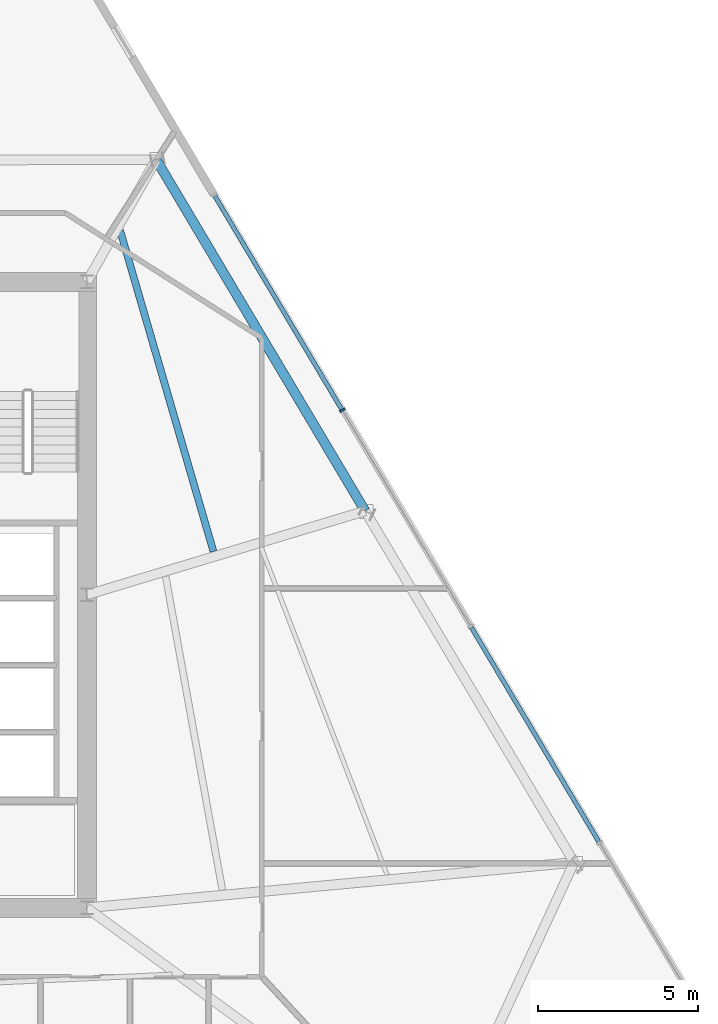
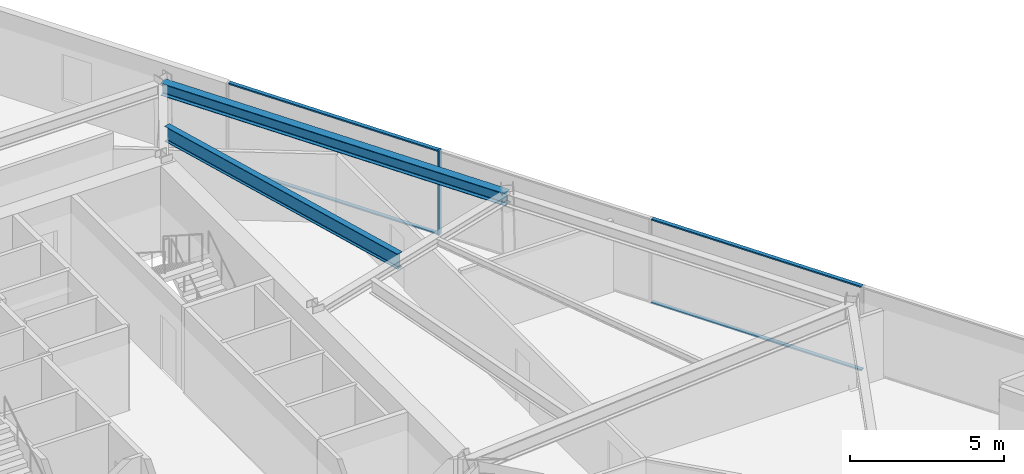
# One storey, part 5 of 15: 5 members, 2 beams, 1 element without a shape of its own.
"""IFC4 building model written with IfcOpenShell, lengths in metres."""

from ifc_helpers import new_model, si_unit, direction, frame, origin, origin_2d, place, context, subcontext, project, spatial, rectangle, i_section, extrude, material, material_profile, profile_set, type_object, element, aggregate, save


model = new_model("IFC4")

# Units and contexts
model_context = context("Model", 3, precision=1e-05, world=origin(), true_north=direction((0.0, 1.0)))
body_context = subcontext(model_context, "Body", "Model", "MODEL_VIEW")
ifc_project = project(units=[si_unit("LENGTHUNIT", "METRE"), si_unit("AREAUNIT", "SQUARE_METRE"), si_unit("VOLUMEUNIT", "CUBIC_METRE"), si_unit("PLANEANGLEUNIT", "RADIAN"), si_unit("MASSUNIT", "GRAM", prefix="KILO")], contexts=[model_context])

# Site, building, storey
site_placement = place(None, origin())
site = spatial("IfcSite", under=ifc_project, at=site_placement, CompositionType="ELEMENT")
building_placement = place(site_placement, origin())
building = spatial("IfcBuilding", under=site, at=building_placement, Name="Savorim Split Tower", CompositionType="ELEMENT")
storey_placement = place(building_placement, frame((0.0, 0.0, 111.300048828125)))
storey = spatial("IfcBuildingStorey", under=building, at=storey_placement, Name="L29", CompositionType="ELEMENT", Elevation=111.300048828125)

# Beams
ifc_material_1 = material(Name="Steel S355", Category="steel")
ifc_material_profile_1 = material_profile(ifc_material_1, i_section(OverallWidth=0.219970703125, OverallDepth=0.60009765625, WebThickness=0.011962890625, FlangeThickness=0.01904296875, FilletRadius=0.02392578125, at=origin_2d()), Name="IPE 600")
ifc_profile_set_1 = profile_set([ifc_material_profile_1], Name="Steel S355")
beam_type_1 = type_object("IfcBeamType", Name="BM-JST-IPE600", PredefinedType="JOIST", material=ifc_profile_set_1)
beam_1_placement = place(storey_placement, frame((11.66357421875, 1.76220703125, 3.050048828125), z_axis=(-0.279116342028, 0.960257292403, 0.0), x_axis=(-0.960257292403, -0.279116342028, 0.0)))
element("IfcBeam", 1, at=beam_1_placement, inside=storey, type_object=beam_type_1, Name="L29 Secondary Floor Joist JS-07", PredefinedType="JOIST", context=body_context, shape_type="SweptSolid", body=[
    extrude(i_section(OverallWidth=0.219970703125, OverallDepth=0.60009765625, WebThickness=0.011962890625, FlangeThickness=0.01904296875, FilletRadius=0.02392578125, at=origin_2d()), origin(), (0.0, 0.0, 1.0), 10.462158203125),
])
ifc_material_profile_2 = material_profile(ifc_material_1, i_section(OverallWidth=0.300048828125, OverallDepth=0.489990234375, WebThickness=0.011962890625, FlangeThickness=0.02294921875, FilletRadius=0.027099609375, at=origin_2d()), Name="HEA 500")
ifc_profile_set_2 = profile_set([ifc_material_profile_2], Name="Steel S355")
beam_type_2 = type_object("IfcBeamType", Name="BM-SPN-HEA500", PredefinedType="SPANDREL", material=ifc_profile_set_2)
beam_2_placement = place(storey_placement, frame((16.413818359375, 3.027099609375, 3.10498046875), z_axis=(-0.511098240642, 0.859522302452, 0.0), x_axis=(-0.859522302452, -0.511098240642, 0.0)))
element("IfcBeam", 2, at=beam_2_placement, inside=storey, type_object=beam_type_2, Name="L29 Perimeter Spandrel Beam 6", PredefinedType="SPANDREL", context=body_context, shape_type="SweptSolid", body=[
    extrude(i_section(OverallWidth=0.300048828125, OverallDepth=0.489990234375, WebThickness=0.011962890625, FlangeThickness=0.02294921875, FilletRadius=0.027099609375, at=origin_2d()), origin(), (0.0, 0.0, 1.0), 12.8017578125),
])

# Curtain wall, members
ifc_material_2 = material(Name="Dark Ceramic-Fritted Insulated Glass", Category="glass")
curtain_wall_type = type_object("IfcCurtainWallType", Name="CW-TWR-FRIT-A", PredefinedType="NOTDEFINED", material=ifc_material_2)
curtain_wall_placement = place(storey_placement, origin())
curtain_wall = element("IfcCurtainWall", 3, at=curtain_wall_placement, inside=storey, type_object=curtain_wall_type, Name="L29 Curtain Wall CW-L29-EAST", PredefinedType="NOTDEFINED")
ifc_material_3 = material(Name="Charcoal Anodised Aluminium", Category="aluminium")
ifc_material_profile_3 = material_profile(ifc_material_3, rectangle(XDim=0.179931640625, YDim=0.06494140625, at=origin_2d()), Name="ALU-M 180x65")
ifc_profile_set_3 = profile_set([ifc_material_profile_3], Name="Charcoal Anodised Aluminium")
member_type_1 = type_object("IfcMemberType", Name="CWM-180x65", PredefinedType="MULLION", material=ifc_profile_set_3)
member_1_placement = place(storey_placement, frame((15.6982421875, 6.1806640625, 0.0), z_axis=(0.0, 0.0, 1.0), x_axis=(-0.859525409745, -0.51109301502, 0.0)))
member_1 = element("IfcMember", 4, at=member_1_placement, type_object=member_type_1, Name="CW-02 mullion 4", PredefinedType="MULLION", context=body_context, shape_type="SweptSolid", body=[
    extrude(rectangle(XDim=0.179931640625, YDim=0.06494140625, at=origin_2d()), origin(), (0.0, 0.0, 1.0), 3.349853515625),
])
ifc_material_profile_4 = material_profile(ifc_material_3, rectangle(XDim=0.139892578125, YDim=0.054931640625, at=origin_2d()), Name="ALU-T 140x55")
ifc_profile_set_4 = profile_set([ifc_material_profile_4], Name="Charcoal Anodised Aluminium")
member_type_2 = type_object("IfcMemberType", Name="CWT-140x55", PredefinedType="USERDEFINED", material=ifc_profile_set_4)
member_2_placement = place(storey_placement, frame((23.7314453125, -7.328857421875, 0.02734375), z_axis=(-0.511099111731, 0.859521784475, 0.0), x_axis=(-0.859521784475, -0.511099111731, 0.0)))
member_2 = element("IfcMember", 5, at=member_2_placement, type_object=member_type_2, Name="CW-02 transom 2.1", ObjectType="TRANSOM", PredefinedType="USERDEFINED", context=body_context, shape_type="SweptSolid", body=[
    extrude(rectangle(XDim=0.139892578125, YDim=0.054931640625, at=origin_2d()), origin(), (0.0, 0.0, 1.0), 7.81005859375),
])
member_3_placement = place(storey_placement, frame((23.7314453125, -7.328857421875, 3.322509765625), z_axis=(-0.511099111731, 0.859521784475, 0.0), x_axis=(-0.859521784475, -0.511099111731, 0.0)))
member_3 = element("IfcMember", 6, at=member_3_placement, type_object=member_type_2, Name="CW-02 transom 2.2", ObjectType="TRANSOM", PredefinedType="USERDEFINED", context=body_context, shape_type="SweptSolid", body=[
    extrude(rectangle(XDim=0.139892578125, YDim=0.054931640625, at=origin_2d()), origin(), (0.0, 0.0, 1.0), 7.81005859375),
])
member_4_placement = place(storey_placement, frame((15.681640625, 6.208740234375, 0.02734375), z_axis=(-0.511084795046, 0.859530297472, 0.0), x_axis=(-0.859530297472, -0.511084795046, 0.0)))
member_4 = element("IfcMember", 7, at=member_4_placement, type_object=member_type_2, Name="CW-02 transom 4.1", ObjectType="TRANSOM", PredefinedType="USERDEFINED", context=body_context, shape_type="SweptSolid", body=[
    extrude(rectangle(XDim=0.139892578125, YDim=0.054931640625, at=origin_2d()), origin(), (0.0, 0.0, 1.0), 7.77734375),
])
member_5_placement = place(storey_placement, frame((15.681640625, 6.208740234375, 3.322509765625), z_axis=(-0.511084795046, 0.859530297472, 0.0), x_axis=(-0.859530297472, -0.511084795046, 0.0)))
member_5 = element("IfcMember", 8, at=member_5_placement, type_object=member_type_2, Name="CW-02 transom 4.2", ObjectType="TRANSOM", PredefinedType="USERDEFINED", context=body_context, shape_type="SweptSolid", body=[
    extrude(rectangle(XDim=0.139892578125, YDim=0.054931640625, at=origin_2d()), origin(), (0.0, 0.0, 1.0), 7.77734375),
])
aggregate(curtain_wall, [member_1, member_2, member_3, member_4, member_5])

save(model, "model.ifc")
